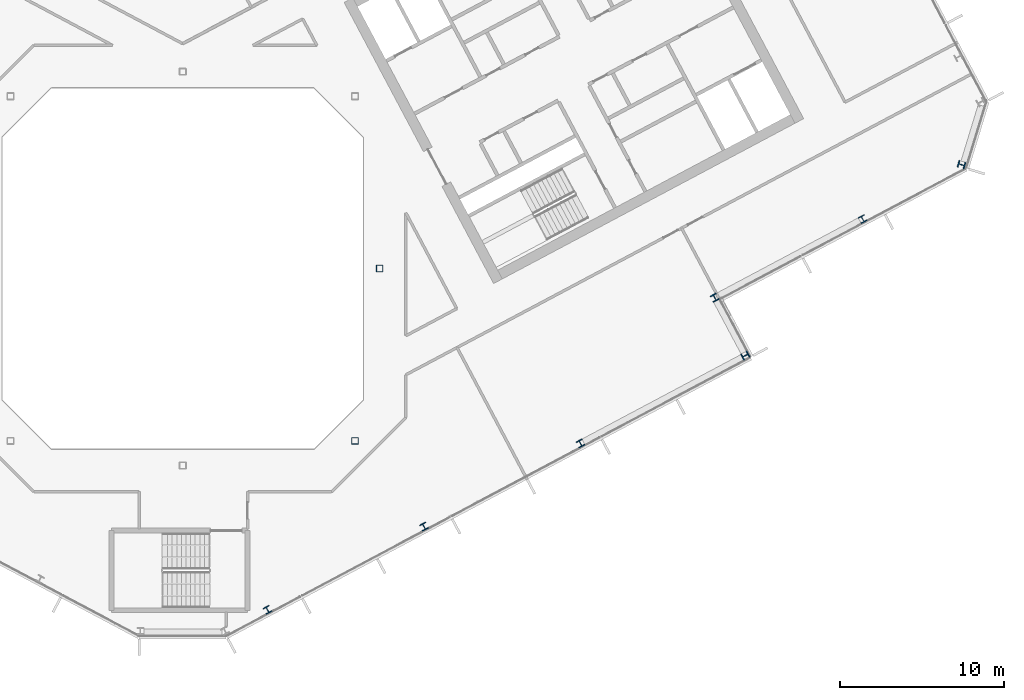
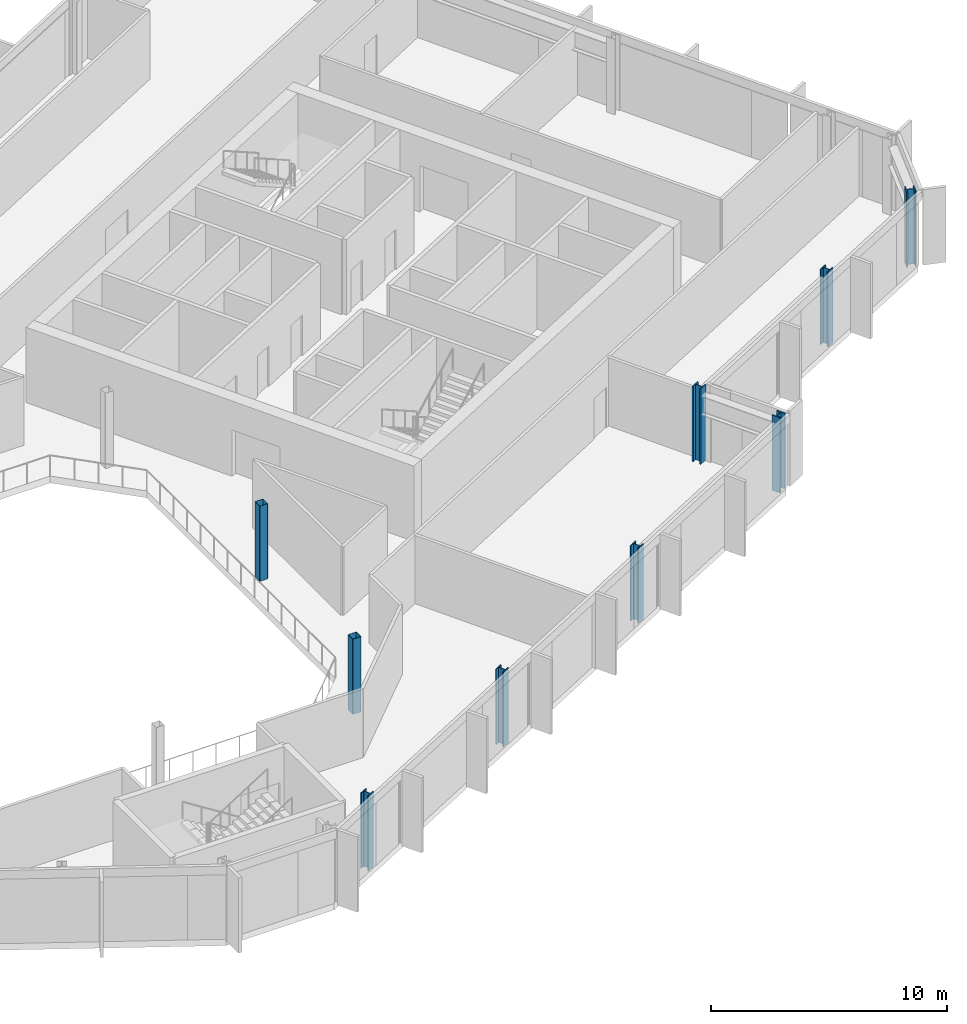
# One storey, part 5 of 27: 9 columns.
"""IFC4 building model written with IfcOpenShell, lengths in metres."""

from ifc_helpers import new_model, si_unit, direction, frame, origin, origin_2d, place, context, subcontext, project, spatial, hollow_rectangle, i_section, extrude, material, material_profile, profile_set, type_object, element, save


model = new_model("IFC4")

# Units and contexts
model_context = context("Model", 3, precision=1e-05, world=origin(), true_north=direction((0.0, 1.0)))
body_context = subcontext(model_context, "Body", "Model", "MODEL_VIEW")
ifc_project = project(units=[si_unit("LENGTHUNIT", "METRE"), si_unit("AREAUNIT", "SQUARE_METRE"), si_unit("VOLUMEUNIT", "CUBIC_METRE"), si_unit("PLANEANGLEUNIT", "RADIAN"), si_unit("MASSUNIT", "GRAM", prefix="KILO")], contexts=[model_context])

# Site, building, storey
site_placement = place(None, origin())
site = spatial("IfcSite", under=ifc_project, at=site_placement, CompositionType="ELEMENT")
building_placement = place(site_placement, origin())
building = spatial("IfcBuilding", under=site, at=building_placement, Name="Cormorant Relay Tower", CompositionType="ELEMENT")
storey_placement = place(building_placement, frame((0.0, 0.0, 216.89990234375)))
storey = spatial("IfcBuildingStorey", under=building, at=storey_placement, Name="L47", CompositionType="ELEMENT", Elevation=216.89990234375)

# Columns
ifc_material_1 = material(Name="Steel ASTM A500 Grade C (Fy 345 MPa)", Category="steel")
ifc_material_profile_1 = material_profile(ifc_material_1, hollow_rectangle(XDim=0.406494140625, YDim=0.406494140625, WallThickness=0.0146484375, InnerFilletRadius=0.00732421875, OuterFilletRadius=0.022216796875, at=origin_2d()), Name="HSS406x406x15")
ifc_profile_set_1 = profile_set([ifc_material_profile_1], Name="Steel ASTM A500 Grade C (Fy 345 MPa)")
column_type_1 = type_object("IfcColumnType", Name="Column HSS406x406x15", PredefinedType="COLUMN", material=ifc_profile_set_1)
for number, where, z_axis, x_axis, name in (
    (1, (10.5, -10.5, 0.0), (0.0, 0.0, 1.0), (1.0, 0.0, 0.0), "Column L47-010"),
    (2, (12.0, 0.0, 0.0), (0.0, 0.0, 1.0), (1.0, 0.0, 0.0), "Column L47-016"),
):
    element("IfcColumn", number, at=place(storey_placement, frame(where, z_axis=z_axis, x_axis=x_axis)), inside=storey, type_object=column_type_1, Name=name, PredefinedType="COLUMN", context=body_context, shape_type="SweptSolid", body=[
        extrude(hollow_rectangle(XDim=0.406494140625, YDim=0.406494140625, WallThickness=0.0146484375, InnerFilletRadius=0.00732421875, OuterFilletRadius=0.022216796875, at=origin_2d()), origin(), (0.0, 0.0, 1.0), 3.900146484375),
    ])
ifc_material_2 = material(Name="Steel ASTM A992 (Fy 345 MPa)", Category="steel")
ifc_material_profile_2 = material_profile(ifc_material_2, i_section(OverallWidth=0.40380859375, OverallDepth=0.406494140625, WebThickness=0.027099609375, FlangeThickness=0.043701171875, FilletRadius=0.01513671875, at=origin_2d()), Name="W360x347")
ifc_profile_set_2 = profile_set([ifc_material_profile_2], Name="Steel ASTM A992 (Fy 345 MPa)")
column_type_2 = type_object("IfcColumnType", Name="Column W360x347", PredefinedType="COLUMN", material=ifc_profile_set_2)
for number, where, z_axis, x_axis, name in (
    (3, (5.1689453125, -20.798095703125, 0.0), (0.0, 0.0, 1.0), (0.882947592859, 0.469471562786, 0.0), "Column L47-003"),
    (4, (14.705078125, -15.72705078125, 0.0), (0.0, 0.0, 1.0), (0.882947592859, 0.469471562786, 0.0), "Column L47-005"),
    (5, (24.240966796875, -10.656982421875, 0.0), (0.0, 0.0, 1.0), (0.882947592859, 0.469471562786, 0.0), "Column L47-008"),
    (6, (41.43408203125, 3.014892578125, 0.0), (0.0, 0.0, 1.0), (0.882947592859, 0.469471562786, 0.0), "Column L47-019"),
):
    element("IfcColumn", number, at=place(storey_placement, frame(where, z_axis=z_axis, x_axis=x_axis)), inside=storey, type_object=column_type_2, Name=name, PredefinedType="COLUMN", context=body_context, shape_type="SweptSolid", body=[
        extrude(i_section(OverallWidth=0.40380859375, OverallDepth=0.406494140625, WebThickness=0.027099609375, FlangeThickness=0.043701171875, FilletRadius=0.01513671875, at=origin_2d()), origin(), (0.0, 0.0, 1.0), 3.900146484375),
    ])
ifc_material_3 = material(Name="Steel ASTM A992 (Fy 345 MPa)", Category="steel")
ifc_material_profile_3 = material_profile(ifc_material_3, i_section(OverallWidth=0.41162109375, OverallDepth=0.434326171875, WebThickness=0.035888671875, FlangeThickness=0.057373046875, FilletRadius=0.01513671875, at=origin_2d()), Name="W360x463")
ifc_profile_set_3 = profile_set([ifc_material_profile_3], Name="Steel ASTM A992 (Fy 345 MPa)")
column_type_3 = type_object("IfcColumnType", Name="Column W360x463", PredefinedType="COLUMN", material=ifc_profile_set_3)
for number, where, z_axis, x_axis, name in (
    (7, (34.284912109375, -5.305908203125, 0.0), (0.0, 0.0, 1.0), (-0.469471562786, 0.882947592859, 0.0), "Column L47-012"),
    (8, (32.4169921875, -1.777099609375, 0.0), (0.0, 0.0, 1.0), (0.882947592859, 0.469471562786, 0.0), "Column L47-014"),
    (9, (47.458984375, 6.325927734375, 0.0), (0.0, 0.0, 1.0), (0.292371704723, 0.956304755963, 0.0), "Column L47-020"),
):
    element("IfcColumn", number, at=place(storey_placement, frame(where, z_axis=z_axis, x_axis=x_axis)), inside=storey, type_object=column_type_3, Name=name, PredefinedType="COLUMN", context=body_context, shape_type="SweptSolid", body=[
        extrude(i_section(OverallWidth=0.41162109375, OverallDepth=0.434326171875, WebThickness=0.035888671875, FlangeThickness=0.057373046875, FilletRadius=0.01513671875, at=origin_2d()), origin(), (0.0, 0.0, 1.0), 3.900146484375),
    ])

save(model, "model.ifc")
